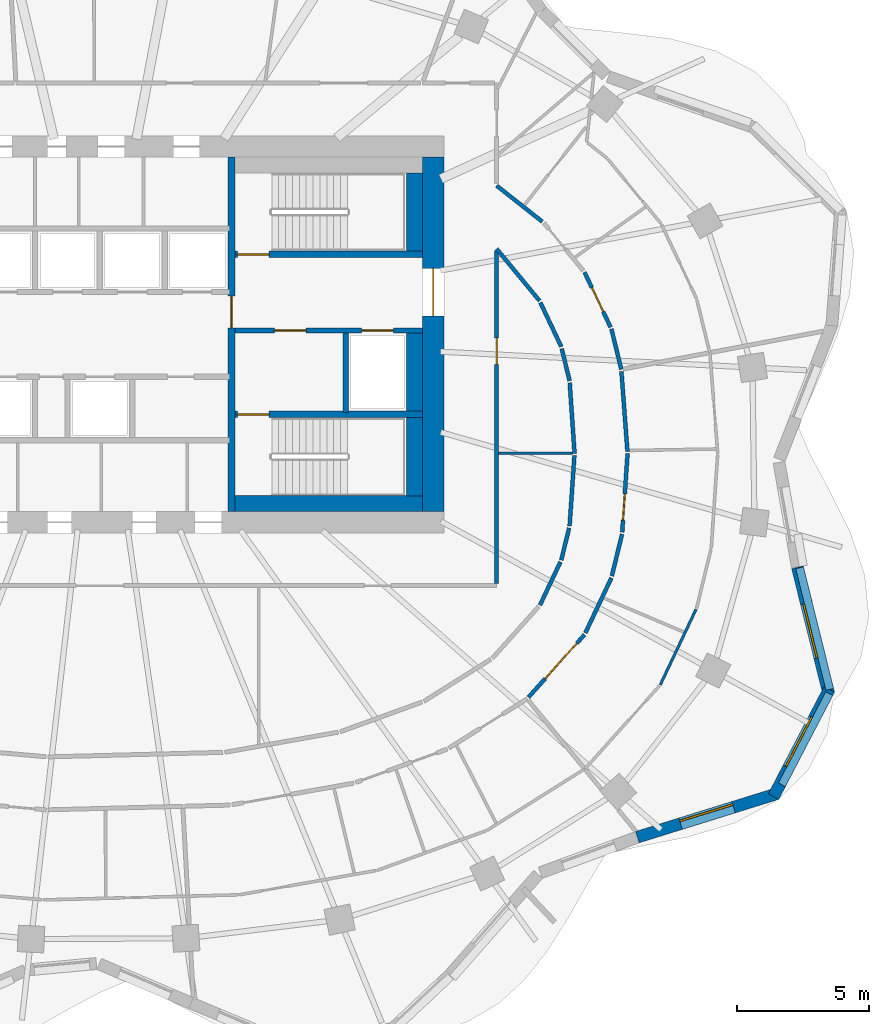
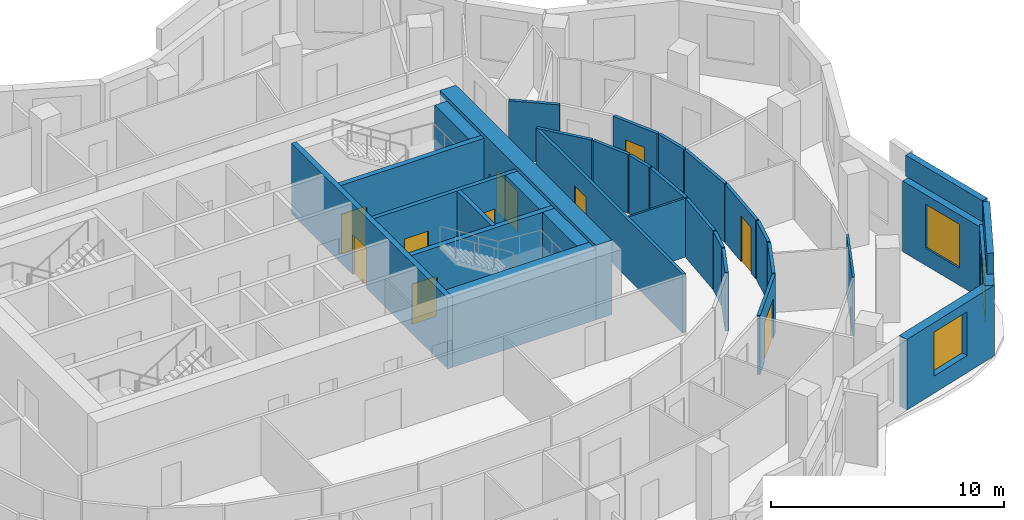
# One storey, part 7 of 11: 33 walls, 10 doors, 3 windows, 13 openings.
"""IFC4 building model written with IfcOpenShell, lengths in metres."""

from ifc_helpers import new_model, si_unit, direction, frame, frame_2d, origin, place, context, subcontext, project, spatial, rectangle, extrude, material, layer, layer_set, type_object, element, fill, save


model = new_model("IFC4")

# Units and contexts
model_context = context("Model", 3, precision=1e-05, world=origin(), true_north=direction((0.0, 1.0)))
body_context = subcontext(model_context, "Body", "Model", "MODEL_VIEW")
ifc_project = project(units=[si_unit("LENGTHUNIT", "METRE"), si_unit("AREAUNIT", "SQUARE_METRE"), si_unit("VOLUMEUNIT", "CUBIC_METRE"), si_unit("PLANEANGLEUNIT", "RADIAN"), si_unit("MASSUNIT", "GRAM", prefix="KILO")], contexts=[model_context])

# Site, building, storey
site_placement = place(None, origin())
site = spatial("IfcSite", under=ifc_project, at=site_placement, CompositionType="ELEMENT")
building_placement = place(site_placement, origin())
building = spatial("IfcBuilding", under=site, at=building_placement, Name="Rubra Terraces Tower", CompositionType="ELEMENT")
storey_placement = place(building_placement, frame((0.0, 0.0, 197.39990234375)))
storey = spatial("IfcBuildingStorey", under=building, at=storey_placement, Name="L48", CompositionType="ELEMENT", Elevation=197.39990234375)

# Wall, opening, window
ifc_material_1 = material(Name="Brick masonry red-brown", Category="masonry")
ifc_layer_1 = layer(ifc_material_1, 0.449951171875)
ifc_layer_set_1 = layer_set([ifc_layer_1], Name="Brick masonry red-brown")
wall_type_1 = type_object("IfcWallType", Name="Brick facade wall 450", PredefinedType="SOLIDWALL", material=ifc_layer_set_1)
wall_1_placement = place(storey_placement, frame((20.31591796875, -14.506591796875, 0.0), z_axis=(0.0, 0.0, 1.0), x_axis=(0.954807195185, 0.297225873743, 0.0)))
wall_1 = element("IfcWall", 1, at=wall_1_placement, inside=storey, type_object=wall_type_1, Name="Facade wall L48 bay 37", PredefinedType="SOLIDWALL", context=body_context, shape_type="SweptSolid", body=[
    extrude(rectangle(XDim=5.5263671875, YDim=0.449951171875, at=frame_2d((2.76318359375, 0.0))), origin(), (0.0, 0.0, 1.0), 3.7001953125),
])
opening_1_placement = place(wall_1_placement, frame((1.713134765625, 0.0, 0.89990234375)))
opening_1 = element("IfcOpeningElement", 2, at=opening_1_placement, cuts=wall_1, Name="Opening W1B", PredefinedType="OPENING", context=body_context, shape_type="SweptSolid", body=[
    extrude(rectangle(XDim=2.10009765625, YDim=2.300048828125, at=frame_2d((1.050048828125, 1.14990234375))), frame((0.0, 0.23486328125, 0.0), z_axis=(0.0, -1.0, 0.0), x_axis=(1.0, 0.0, 0.0)), (0.0, 0.0, 1.0), 0.469970703125),
])
ifc_material_2 = material(Name="Clear glass in aluminium frame", Category="aluminium")
window_type = type_object("IfcWindowType", Name="Fixed deep-set window tall storey 2100 x 2300", PartitioningType="SINGLE_PANEL", PredefinedType="WINDOW", material=ifc_material_2)
window_1_placement = place(opening_1_placement, origin())
window_1 = element("IfcWindow", 3, at=window_1_placement, inside=storey, type_object=window_type, Name="Window L48 bay 37", OverallHeight=2.300048828125, OverallWidth=2.10009765625, PartitioningType="SINGLE_PANEL", PredefinedType="WINDOW", context=body_context, shape_type="SweptSolid", body=[
    extrude(rectangle(XDim=2.10009765625, YDim=2.300048828125, at=frame_2d((1.050048828125, 1.14990234375))), frame((0.0, 0.135009765625, 0.0), z_axis=(0.0, -1.0, 0.0), x_axis=(1.0, 0.0, 0.0)), (0.0, 0.0, 1.0), 0.06005859375),
])
fill(opening_1, window_1)

wall_2_placement = place(storey_placement, frame((25.46533203125, -12.97314453125, 0.0), z_axis=(0.0, 0.0, 1.0), x_axis=(0.461288789222, 0.887250050965, 0.0)))
wall_2 = element("IfcWall", 4, at=wall_2_placement, inside=storey, type_object=wall_type_1, Name="Facade wall L48 bay 38", PredefinedType="SOLIDWALL", context=body_context, shape_type="SweptSolid", body=[
    extrude(rectangle(XDim=4.568115234375, YDim=0.449951171875, at=frame_2d((2.2841796875, 0.0))), origin(), (0.0, 0.0, 1.0), 3.7001953125),
])
opening_2_placement = place(wall_2_placement, frame((1.23388671875, 0.0, 0.89990234375)))
opening_2 = element("IfcOpeningElement", 5, at=opening_2_placement, cuts=wall_2, Name="Opening W1B", PredefinedType="OPENING", context=body_context, shape_type="SweptSolid", body=[
    extrude(rectangle(XDim=2.10009765625, YDim=2.300048828125, at=frame_2d((1.050048828125, 1.14990234375))), frame((0.0, 0.23486328125, 0.0), z_axis=(0.0, -1.0, 0.0), x_axis=(1.0, 0.0, 0.0)), (0.0, 0.0, 1.0), 0.469970703125),
])
window_2_placement = place(opening_2_placement, origin())
window_2 = element("IfcWindow", 6, at=window_2_placement, inside=storey, type_object=window_type, Name="Window L48 bay 38", OverallHeight=2.300048828125, OverallWidth=2.10009765625, PartitioningType="SINGLE_PANEL", PredefinedType="WINDOW", context=body_context, shape_type="SweptSolid", body=[
    extrude(rectangle(XDim=2.10009765625, YDim=2.300048828125, at=frame_2d((1.050048828125, 1.14990234375))), frame((0.0, 0.135009765625, 0.0), z_axis=(0.0, -1.0, 0.0), x_axis=(1.0, 0.0, 0.0)), (0.0, 0.0, 1.0), 0.06005859375),
])
fill(opening_2, window_2)

wall_3_placement = place(storey_placement, frame((27.552001953125, -9.07177734375, 0.0), z_axis=(0.0, 0.0, 1.0), x_axis=(-0.240629941406, 0.970616933347, 0.0)))
wall_3 = element("IfcWall", 7, at=wall_3_placement, inside=storey, type_object=wall_type_1, Name="Facade wall L48 bay 39", PredefinedType="SOLIDWALL", context=body_context, shape_type="SweptSolid", body=[
    extrude(rectangle(XDim=4.91455078125, YDim=0.449951171875, at=frame_2d((2.457275390625, 0.0))), origin(), (0.0, 0.0, 1.0), 3.7001953125),
])
opening_3_placement = place(wall_3_placement, frame((1.407470703125, 0.0, 0.89990234375)))
opening_3 = element("IfcOpeningElement", 8, at=opening_3_placement, cuts=wall_3, Name="Opening W1B", PredefinedType="OPENING", context=body_context, shape_type="SweptSolid", body=[
    extrude(rectangle(XDim=2.10009765625, YDim=2.300048828125, at=frame_2d((1.050048828125, 1.14990234375))), frame((0.0, 0.23486328125, 0.0), z_axis=(0.0, -1.0, 0.0), x_axis=(1.0, 0.0, 0.0)), (0.0, 0.0, 1.0), 0.469970703125),
])
window_3_placement = place(opening_3_placement, origin())
window_3 = element("IfcWindow", 9, at=window_3_placement, inside=storey, type_object=window_type, Name="Window L48 bay 39", OverallHeight=2.300048828125, OverallWidth=2.10009765625, PartitioningType="SINGLE_PANEL", PredefinedType="WINDOW", context=body_context, shape_type="SweptSolid", body=[
    extrude(rectangle(XDim=2.10009765625, YDim=2.300048828125, at=frame_2d((1.050048828125, 1.14990234375))), frame((0.0, 0.135009765625, 0.0), z_axis=(0.0, -1.0, 0.0), x_axis=(1.0, 0.0, 0.0)), (0.0, 0.0, 1.0), 0.06005859375),
])
fill(opening_3, window_3)

# Walls
ifc_layer_2 = layer(ifc_material_1, 0.300048828125)
ifc_layer_set_2 = layer_set([ifc_layer_2], Name="Brick masonry red-brown")
wall_type_2 = type_object("IfcWallType", Name="Brick parapet 300", PredefinedType="PARAPET", material=ifc_layer_set_2)
wall_4_placement = place(storey_placement, frame((25.781982421875, -12.52685546875, 3.900146484375), z_axis=(0.0, 0.0, 1.0), x_axis=(0.461218103562, 0.88728679746, 0.0)))
element("IfcWall", 10, at=wall_4_placement, inside=storey, type_object=wall_type_2, Name="Parapet L48 bay 38", PredefinedType="PARAPET", context=body_context, shape_type="SweptSolid", body=[
    extrude(rectangle(XDim=3.8828125, YDim=0.300048828125, at=frame_2d((1.94140625, 0.0))), origin(), (0.0, 0.0, 1.0), 1.099853515625),
])
wall_5_placement = place(storey_placement, frame((27.591796875, -8.9208984375, 3.900146484375), z_axis=(0.0, 0.0, 1.0), x_axis=(-0.240669381496, 0.970607154729, 0.0)))
element("IfcWall", 11, at=wall_5_placement, inside=storey, type_object=wall_type_2, Name="Parapet L48 bay 39", PredefinedType="PARAPET", context=body_context, shape_type="SweptSolid", body=[
    extrude(rectangle(XDim=4.741455078125, YDim=0.300048828125, at=frame_2d((2.37060546875, 0.0))), origin(), (0.0, 0.0, 1.0), 1.099853515625),
])

# Wall, opening, door
ifc_material_3 = material(Name="Concrete C50", Category="concrete")
ifc_layer_3 = layer(ifc_material_3, 0.800048828125)
ifc_layer_set_3 = layer_set([ifc_layer_3], Name="Concrete C50")
wall_type_3 = type_object("IfcWallType", Name="CORE WALL 800 C50", PredefinedType="SHEAR", material=ifc_layer_set_3)
wall_6_placement = place(storey_placement, frame((12.60009765625, -2.199951171875, 0.0), z_axis=(0.0, 0.0, 1.0), x_axis=(0.0, 1.0, 0.0)))
wall_6 = element("IfcWall", 12, at=wall_6_placement, inside=storey, type_object=wall_type_3, Name="CORE WALL E L48", PredefinedType="SHEAR", context=body_context, shape_type="SweptSolid", body=[
    extrude(rectangle(XDim=13.39990234375, YDim=0.800048828125, at=frame_2d((6.699951171875, 0.0))), origin(), (0.0, 0.0, 1.0), 3.900146484375),
])
opening_4_placement = place(wall_6_placement, frame((7.39990234375, 0.0, 0.0)))
opening_4 = element("IfcOpeningElement", 13, at=opening_4_placement, cuts=wall_6, Name="Opening L48.C02", PredefinedType="OPENING", context=body_context, shape_type="SweptSolid", body=[
    extrude(rectangle(XDim=1.800048828125, YDim=2.10009765625, at=frame_2d((0.89990234375, 1.050048828125))), frame((0.0, 0.409912109375, 0.0), z_axis=(0.0, -1.0, 0.0), x_axis=(1.0, 0.0, 0.0)), (0.0, 0.0, 1.0), 0.820068359375),
])
ifc_material_4 = material(Name="Painted steel", Category="steel")
door_type_1 = type_object("IfcDoorType", Name="Fire door 1800x2100 double", OperationType="NOTDEFINED", PredefinedType="DOOR", material=ifc_material_4)
door_1_placement = place(opening_4_placement, origin())
door_1 = element("IfcDoor", 14, at=door_1_placement, inside=storey, type_object=door_type_1, Name="Core entrance door FF2", OperationType="DOUBLE_DOOR_SINGLE_SWING", OverallHeight=2.10009765625, OverallWidth=1.800048828125, PredefinedType="DOOR", context=body_context, shape_type="SweptSolid", body=[
    extrude(rectangle(XDim=1.800048828125, YDim=2.10009765625, at=frame_2d((0.89990234375, 1.050048828125))), frame((0.0, 0.02490234375, 0.0), z_axis=(0.0, -1.0, 0.0), x_axis=(1.0, 0.0, 0.0)), (0.0, 0.0, 1.0), 0.050048828125),
])
fill(opening_4, door_1)

# Wall
ifc_material_5 = material(Name="Plasterboard on steel stud, mineral wool infill", Category="steel")
ifc_layer_4 = layer(ifc_material_5, 0.14990234375)
ifc_layer_set_4 = layer_set([ifc_layer_4], Name="Plasterboard on steel stud, mineral wool infill")
wall_type_4 = type_object("IfcWallType", Name="CORRIDOR PARTITION 150", PredefinedType="PARTITIONING", material=ifc_layer_set_4)
wall_7_placement = place(storey_placement, frame((19.710693359375, 3.174072265625, 0.0), z_axis=(0.0, 0.0, 1.0), x_axis=(-0.236809994688, 0.971555982132, 0.0)))
element("IfcWall", 15, at=wall_7_placement, inside=storey, type_object=wall_type_4, Name="PARTITION", PredefinedType="PARTITIONING", context=body_context, shape_type="SweptSolid", body=[
    extrude(rectangle(XDim=1.576416015625, YDim=0.14990234375, at=frame_2d((0.7880859375, 0.0))), origin(), (0.0, 0.0, 1.0), 3.083984375),
])

# Wall, opening, door
wall_8_placement = place(storey_placement, frame((19.305419921875, 4.7734375, 0.0), z_axis=(0.0, 0.0, 1.0), x_axis=(-0.428173054138, 0.903696760927, 0.0)))
wall_8 = element("IfcWall", 16, at=wall_8_placement, inside=storey, type_object=wall_type_4, Name="PARTITION", PredefinedType="PARTITIONING", context=body_context, shape_type="SweptSolid", body=[
    extrude(rectangle(XDim=2.299560546875, YDim=0.14990234375, at=frame_2d((1.14990234375, 0.0))), origin(), (0.0, 0.0, 1.0), 3.083984375),
])
opening_5_placement = place(wall_8_placement, frame((0.64990234375, 0.0, 0.0)))
opening_5 = element("IfcOpeningElement", 17, at=opening_5_placement, cuts=wall_8, Name="Opening 48-139", PredefinedType="OPENING", context=body_context, shape_type="SweptSolid", body=[
    extrude(rectangle(XDim=1.0, YDim=2.10009765625, at=frame_2d((0.5, 1.050048828125))), frame((0.0, 0.0849609375, 0.0), z_axis=(0.0, -1.0, 0.0), x_axis=(1.0, 0.0, 0.0)), (0.0, 0.0, 1.0), 0.169921875),
])
ifc_material_6 = material(Name="Painted timber door leaf", Category="wood")
door_type_2 = type_object("IfcDoorType", Name="ROOM DOOR 1000 X 2100", OperationType="SINGLE_SWING_LEFT", PredefinedType="DOOR", material=ifc_material_6)
door_2_placement = place(opening_5_placement, origin())
door_2 = element("IfcDoor", 18, at=door_2_placement, inside=storey, type_object=door_type_2, Name="DOOR 48-139", OperationType="SINGLE_SWING_RIGHT", OverallHeight=2.10009765625, OverallWidth=1.0, PredefinedType="DOOR", context=body_context, shape_type="SweptSolid", body=[
    extrude(rectangle(XDim=1.0, YDim=2.10009765625, at=frame_2d((0.5, 1.050048828125))), frame((0.0, 0.02490234375, 0.0), z_axis=(0.0, -1.0, 0.0), x_axis=(1.0, 0.0, 0.0)), (0.0, 0.0, 1.0), 0.050048828125),
])
fill(opening_5, door_2)

# Wall
wall_9_placement = place(storey_placement, frame((16.723876953125, 8.761474609375, 0.0), z_axis=(0.0, 0.0, 1.0), x_axis=(-0.785124633057, 0.619337800047, 0.0)))
element("IfcWall", 19, at=wall_9_placement, inside=storey, type_object=wall_type_4, Name="PARTITION", PredefinedType="PARTITIONING", context=body_context, shape_type="SweptSolid", body=[
    extrude(rectangle(XDim=2.195556640625, YDim=0.14990234375, at=frame_2d((1.09765625, 0.0))), origin(), (0.0, 0.0, 1.0), 3.083984375),
])

# Wall, opening, door
wall_10_placement = place(storey_placement, frame((16.201171875, -9.2197265625, 0.0), z_axis=(0.0, 0.0, 1.0), x_axis=(0.666925083627, 0.745124776685, 0.0)))
wall_10 = element("IfcWall", 20, at=wall_10_placement, inside=storey, type_object=wall_type_4, Name="PARTITION", PredefinedType="PARTITIONING", context=body_context, shape_type="SweptSolid", body=[
    extrude(rectangle(XDim=3.17822265625, YDim=0.14990234375, at=frame_2d((1.589111328125, 0.0))), origin(), (0.0, 0.0, 1.0), 3.083984375),
])
opening_6_placement = place(wall_10_placement, frame((0.949951171875, 0.0, 0.0)))
opening_6 = element("IfcOpeningElement", 21, at=opening_6_placement, cuts=wall_10, Name="Opening 48-129", PredefinedType="OPENING", context=body_context, shape_type="SweptSolid", body=[
    extrude(rectangle(XDim=1.800048828125, YDim=2.10009765625, at=frame_2d((0.89990234375, 1.050048828125))), frame((0.0, 0.0849609375, 0.0), z_axis=(0.0, -1.0, 0.0), x_axis=(1.0, 0.0, 0.0)), (0.0, 0.0, 1.0), 0.169921875),
])
ifc_material_7 = material(Name="Painted timber door leaf, double", Category="wood")
door_type_3 = type_object("IfcDoorType", Name="ROOM DOUBLE DOOR 1800 X 2100", OperationType="DOUBLE_DOOR_SINGLE_SWING", PredefinedType="DOOR", material=ifc_material_7)
door_3_placement = place(opening_6_placement, origin())
door_3 = element("IfcDoor", 22, at=door_3_placement, inside=storey, type_object=door_type_3, Name="DOOR 48-129", OperationType="DOUBLE_DOOR_SINGLE_SWING", OverallHeight=2.10009765625, OverallWidth=1.800048828125, PredefinedType="DOOR", context=body_context, shape_type="SweptSolid", body=[
    extrude(rectangle(XDim=1.800048828125, YDim=2.10009765625, at=frame_2d((0.89990234375, 1.050048828125))), frame((0.0, 0.02490234375, 0.0), z_axis=(0.0, -1.0, 0.0), x_axis=(1.0, 0.0, 0.0)), (0.0, 0.0, 1.0), 0.050048828125),
])
fill(opening_6, door_3)

# Walls
wall_11_placement = place(storey_placement, frame((18.35302734375, -6.78369140625, 0.0), z_axis=(0.0, 0.0, 1.0), x_axis=(0.428086344739, 0.903737838894, 0.0)))
element("IfcWall", 23, at=wall_11_placement, inside=storey, type_object=wall_type_4, Name="PARTITION", PredefinedType="PARTITIONING", context=body_context, shape_type="SweptSolid", body=[
    extrude(rectangle(XDim=2.299560546875, YDim=0.14990234375, at=frame_2d((1.14990234375, 0.0))), origin(), (0.0, 0.0, 1.0), 3.083984375),
])
wall_12_placement = place(storey_placement, frame((19.355224609375, -4.6328125, 0.0), z_axis=(0.0, 0.0, 1.0), x_axis=(0.236703930685, 0.971581828359, 0.0)))
element("IfcWall", 24, at=wall_12_placement, inside=storey, type_object=wall_type_4, Name="PARTITION", PredefinedType="PARTITIONING", context=body_context, shape_type="SweptSolid", body=[
    extrude(rectangle(XDim=1.62646484375, YDim=0.14990234375, at=frame_2d((0.813232421875, 0.0))), origin(), (0.0, 0.0, 1.0), 3.083984375),
])

# Wall, opening, door
wall_13_placement = place(storey_placement, frame((19.745361328125, -2.9775390625, 0.0), z_axis=(0.0, 0.0, 1.0), x_axis=(0.068142324, 0.997675610447, 0.0)))
wall_13 = element("IfcWall", 25, at=wall_13_placement, inside=storey, type_object=wall_type_4, Name="PARTITION", PredefinedType="PARTITIONING", context=body_context, shape_type="SweptSolid", body=[
    extrude(rectangle(XDim=2.984375, YDim=0.14990234375, at=frame_2d((1.4921875, 0.0))), origin(), (0.0, 0.0, 1.0), 3.083984375),
])
opening_7_placement = place(wall_13_placement, frame((0.449951171875, 0.0, 0.0)))
opening_7 = element("IfcOpeningElement", 26, at=opening_7_placement, cuts=wall_13, Name="Opening 48-131", PredefinedType="OPENING", context=body_context, shape_type="SweptSolid", body=[
    extrude(rectangle(XDim=1.0, YDim=2.39990234375, at=frame_2d((0.5, 1.199951171875))), frame((0.0, 0.0849609375, 0.0), z_axis=(0.0, -1.0, 0.0), x_axis=(1.0, 0.0, 0.0)), (0.0, 0.0, 1.0), 0.169921875),
])
ifc_material_8 = material(Name="Glazed aluminium meeting door leaf", Category="aluminium")
door_type_4 = type_object("IfcDoorType", Name="MEETING ROOM GLAZED DOOR 1000 X 2400", OperationType="SINGLE_SWING_LEFT", PredefinedType="DOOR", material=ifc_material_8)
door_4_placement = place(opening_7_placement, origin())
door_4 = element("IfcDoor", 27, at=door_4_placement, inside=storey, type_object=door_type_4, Name="DOOR 48-131", OperationType="SINGLE_SWING_RIGHT", OverallHeight=2.39990234375, OverallWidth=1.0, PredefinedType="DOOR", context=body_context, shape_type="SweptSolid", body=[
    extrude(rectangle(XDim=1.0, YDim=2.39990234375, at=frame_2d((0.5, 1.199951171875))), frame((0.0, 0.02490234375, 0.0), z_axis=(0.0, -1.0, 0.0), x_axis=(1.0, 0.0, 0.0)), (0.0, 0.0, 1.0), 0.050048828125),
])
fill(opening_7, door_4)

# Walls
wall_14_placement = place(storey_placement, frame((19.943115234375, 0.07470703125, 0.0), z_axis=(0.0, 0.0, 1.0), x_axis=(-0.074781943541, 0.997199910209, 0.0)))
element("IfcWall", 28, at=wall_14_placement, inside=storey, type_object=wall_type_4, Name="PARTITION", PredefinedType="PARTITIONING", context=body_context, shape_type="SweptSolid", body=[
    extrude(rectangle(XDim=3.032958984375, YDim=0.14990234375, at=frame_2d((1.5166015625, 0.0))), origin(), (0.0, 0.0, 1.0), 3.083984375),
])
wall_15_placement = place(storey_placement, frame((15.0, 7.73291015625, 0.0), z_axis=(0.0, 0.0, 1.0), x_axis=(0.636601263488, -0.771193121938, 0.0)))
element("IfcWall", 29, at=wall_15_placement, inside=storey, type_object=wall_type_4, Name="PARTITION", PredefinedType="PARTITIONING", context=body_context, shape_type="SweptSolid", body=[
    extrude(rectangle(XDim=2.544921875, YDim=0.14990234375, at=frame_2d((1.2724609375, 0.0))), origin(), (0.0, 0.0, 1.0), 3.083984375),
])
wall_16_placement = place(storey_placement, frame((16.652099609375, 5.702392578125, 0.0), z_axis=(0.0, 0.0, 1.0), x_axis=(0.428126129773, -0.903718992279, 0.0)))
element("IfcWall", 30, at=wall_16_placement, inside=storey, type_object=wall_type_4, Name="PARTITION", PredefinedType="PARTITIONING", context=body_context, shape_type="SweptSolid", body=[
    extrude(rectangle(XDim=1.846435546875, YDim=0.14990234375, at=frame_2d((0.92333984375, 0.0))), origin(), (0.0, 0.0, 1.0), 3.083984375),
])
wall_17_placement = place(storey_placement, frame((17.46044921875, 3.9609375, 0.0), z_axis=(0.0, 0.0, 1.0), x_axis=(0.236655249498, -0.971593687137, 0.0)))
element("IfcWall", 31, at=wall_17_placement, inside=storey, type_object=wall_type_4, Name="PARTITION", PredefinedType="PARTITIONING", context=body_context, shape_type="SweptSolid", body=[
    extrude(rectangle(XDim=1.25146484375, YDim=0.14990234375, at=frame_2d((0.625732421875, 0.0))), origin(), (0.0, 0.0, 1.0), 3.083984375),
])
wall_18_placement = place(storey_placement, frame((17.76171875, 2.67041015625, 0.0), z_axis=(0.0, 0.0, 1.0), x_axis=(0.068135311644, -0.997676089373, 0.0)))
element("IfcWall", 32, at=wall_18_placement, inside=storey, type_object=wall_type_4, Name="PARTITION", PredefinedType="PARTITIONING", context=body_context, shape_type="SweptSolid", body=[
    extrude(rectangle(XDim=2.676513671875, YDim=0.14990234375, at=frame_2d((1.33837890625, 0.0))), origin(), (0.0, 0.0, 1.0), 3.083984375),
])
wall_19_placement = place(storey_placement, frame((17.939208984375, -0.07470703125, 0.0), z_axis=(0.0, 0.0, 1.0), x_axis=(-0.068226099283, -0.99766988497, 0.0)))
element("IfcWall", 33, at=wall_19_placement, inside=storey, type_object=wall_type_4, Name="PARTITION", PredefinedType="PARTITIONING", context=body_context, shape_type="SweptSolid", body=[
    extrude(rectangle(XDim=2.6767578125, YDim=0.14990234375, at=frame_2d((1.33837890625, 0.0))), origin(), (0.0, 0.0, 1.0), 3.083984375),
])
wall_20_placement = place(storey_placement, frame((17.739013671875, -2.818115234375, 0.0), z_axis=(0.0, 0.0, 1.0), x_axis=(-0.236884307907, -0.971537865792, 0.0)))
element("IfcWall", 34, at=wall_20_placement, inside=storey, type_object=wall_type_4, Name="PARTITION", PredefinedType="PARTITIONING", context=body_context, shape_type="SweptSolid", body=[
    extrude(rectangle(XDim=1.251220703125, YDim=0.14990234375, at=frame_2d((0.62548828125, 0.0))), origin(), (0.0, 0.0, 1.0), 3.083984375),
])
wall_21_placement = place(storey_placement, frame((17.410400390625, -4.1015625, 0.0), z_axis=(0.0, 0.0, 1.0), x_axis=(-0.428074720318, -0.903743345107, 0.0)))
element("IfcWall", 35, at=wall_21_placement, inside=storey, type_object=wall_type_4, Name="PARTITION", PredefinedType="PARTITIONING", context=body_context, shape_type="SweptSolid", body=[
    extrude(rectangle(XDim=1.8056640625, YDim=0.14990234375, at=frame_2d((0.90283203125, 0.0))), origin(), (0.0, 0.0, 1.0), 3.083984375),
])

# Wall, opening, door
wall_22_placement = place(storey_placement, frame((15.0, -4.925048828125, 0.0), z_axis=(0.0, 0.0, 1.0), x_axis=(0.0, 1.0, 0.0)))
wall_22 = element("IfcWall", 36, at=wall_22_placement, inside=storey, type_object=wall_type_4, Name="PARTITION", PredefinedType="PARTITIONING", context=body_context, shape_type="SweptSolid", body=[
    extrude(rectangle(XDim=12.5830078125, YDim=0.14990234375, at=frame_2d((6.29150390625, 0.0))), origin(), (0.0, 0.0, 1.0), 3.083984375),
])
opening_8_placement = place(wall_22_placement, frame((8.291015625, 0.0, 0.0)))
opening_8 = element("IfcOpeningElement", 37, at=opening_8_placement, cuts=wall_22, Name="Opening 48-137", PredefinedType="OPENING", context=body_context, shape_type="SweptSolid", body=[
    extrude(rectangle(XDim=1.0, YDim=2.10009765625, at=frame_2d((0.5, 1.050048828125))), frame((0.0, 0.0849609375, 0.0), z_axis=(0.0, -1.0, 0.0), x_axis=(1.0, 0.0, 0.0)), (0.0, 0.0, 1.0), 0.169921875),
])
door_5_placement = place(opening_8_placement, origin())
door_5 = element("IfcDoor", 38, at=door_5_placement, inside=storey, type_object=door_type_2, Name="DOOR 48-137", OperationType="SINGLE_SWING_RIGHT", OverallHeight=2.10009765625, OverallWidth=1.0, PredefinedType="DOOR", context=body_context, shape_type="SweptSolid", body=[
    extrude(rectangle(XDim=1.0, YDim=2.10009765625, at=frame_2d((0.5, 1.050048828125))), frame((0.0, 0.02490234375, 0.0), z_axis=(0.0, -1.0, 0.0), x_axis=(1.0, 0.0, 0.0)), (0.0, 0.0, 1.0), 0.050048828125),
])
fill(opening_8, door_5)

# Walls
ifc_material_9 = material(Name="Concrete C40", Category="concrete")
ifc_layer_5 = layer(ifc_material_9, 0.60009765625)
ifc_layer_set_5 = layer_set([ifc_layer_5], Name="Concrete C40")
wall_type_5 = type_object("IfcWallType", Name="Core lining wall 600 concrete", PredefinedType="SOLIDWALL", material=ifc_layer_set_5)
wall_23_placement = place(storey_placement, frame((11.89990234375, 10.60009765625, 0.0), z_axis=(0.0, 0.0, 1.0), x_axis=(0.0, -1.0, 0.0)))
element("IfcWall", 39, at=wall_23_placement, inside=storey, type_object=wall_type_5, Name="CORE LINING WALL L48", PredefinedType="SOLIDWALL", context=body_context, shape_type="SweptSolid", body=[
    extrude(rectangle(XDim=2.9501953125, YDim=0.60009765625, at=frame_2d((1.47509765625, 0.0))), origin(), (0.0, 0.0, 1.0), 3.7001953125),
])
wall_24_placement = place(storey_placement, frame((11.89990234375, 4.550048828125, 0.0), z_axis=(0.0, 0.0, 1.0), x_axis=(0.0, -1.0, 0.0)))
element("IfcWall", 40, at=wall_24_placement, inside=storey, type_object=wall_type_5, Name="CORE LINING WALL L48", PredefinedType="SOLIDWALL", context=body_context, shape_type="SweptSolid", body=[
    extrude(rectangle(XDim=3.0, YDim=0.60009765625, at=frame_2d((1.5, 0.0))), origin(), (0.0, 0.0, 1.0), 3.7001953125),
])
wall_25_placement = place(storey_placement, frame((11.89990234375, 1.35009765625, 0.0), z_axis=(0.0, 0.0, 1.0), x_axis=(0.0, -1.0, 0.0)))
element("IfcWall", 41, at=wall_25_placement, inside=storey, type_object=wall_type_5, Name="CORE LINING WALL L48", PredefinedType="SOLIDWALL", context=body_context, shape_type="SweptSolid", body=[
    extrude(rectangle(XDim=2.9501953125, YDim=0.60009765625, at=frame_2d((1.47509765625, 0.0))), origin(), (0.0, 0.0, 1.0), 3.7001953125),
])
wall_26_placement = place(storey_placement, frame((12.199951171875, -1.89990234375, 0.0), z_axis=(0.0, 0.0, 1.0), x_axis=(-1.0, 0.0, 0.0)))
element("IfcWall", 42, at=wall_26_placement, inside=storey, type_object=wall_type_5, Name="CORE LINING WALL L48", PredefinedType="SOLIDWALL", context=body_context, shape_type="SweptSolid", body=[
    extrude(rectangle(XDim=7.099853515625, YDim=0.60009765625, at=frame_2d((3.5498046875, 0.0))), origin(), (0.0, 0.0, 1.0), 3.7001953125),
])

# Wall, openings, doors
ifc_material_10 = material(Name="Concrete C30", Category="concrete")
ifc_layer_6 = layer(ifc_material_10, 0.199951171875)
ifc_layer_set_6 = layer_set([ifc_layer_6], Name="Concrete C30")
wall_type_6 = type_object("IfcWallType", Name="Core wall 200 concrete", PredefinedType="SOLIDWALL", material=ifc_layer_set_6)
wall_27_placement = place(storey_placement, frame((12.199951171875, 4.64990234375, 0.0), z_axis=(0.0, 0.0, 1.0), x_axis=(-1.0, 0.0, 0.0)))
wall_27 = element("IfcWall", 43, at=wall_27_placement, inside=storey, type_object=wall_type_6, Name="STAIR WALL L48", PredefinedType="SOLIDWALL", context=body_context, shape_type="SweptSolid", body=[
    extrude(rectangle(XDim=7.099853515625, YDim=0.199951171875, at=frame_2d((3.5498046875, 0.0))), origin(), (0.0, 0.0, 1.0), 3.7001953125),
])
opening_9_placement = place(wall_27_placement, frame((4.39990234375, 0.0, 0.0)))
opening_9 = element("IfcOpeningElement", 44, at=opening_9_placement, cuts=wall_27, Name="Opening L48.C06", PredefinedType="OPENING", context=body_context, shape_type="SweptSolid", body=[
    extrude(rectangle(XDim=1.199951171875, YDim=2.10009765625, at=frame_2d((0.60009765625, 1.050048828125))), frame((0.0, 0.10986328125, 0.0), z_axis=(0.0, -1.0, 0.0), x_axis=(1.0, 0.0, 0.0)), (0.0, 0.0, 1.0), 0.219970703125),
])
opening_10_placement = place(wall_27_placement, frame((1.10009765625, 0.0, 0.0)))
opening_10 = element("IfcOpeningElement", 45, at=opening_10_placement, cuts=wall_27, Name="Opening L48.C12", PredefinedType="OPENING", context=body_context, shape_type="SweptSolid", body=[
    extrude(rectangle(XDim=1.199951171875, YDim=2.10009765625, at=frame_2d((0.60009765625, 1.050048828125))), frame((0.0, 0.10986328125, 0.0), z_axis=(0.0, -1.0, 0.0), x_axis=(1.0, 0.0, 0.0)), (0.0, 0.0, 1.0), 0.219970703125),
])
door_type_5 = type_object("IfcDoorType", Name="Fire door 1200x2100 single", OperationType="NOTDEFINED", PredefinedType="DOOR", material=ifc_material_4)
door_6_placement = place(opening_9_placement, origin())
door_6 = element("IfcDoor", 46, at=door_6_placement, inside=storey, type_object=door_type_5, Name="Stair vestibule door S4", OperationType="SINGLE_SWING_RIGHT", OverallHeight=2.10009765625, OverallWidth=1.199951171875, PredefinedType="DOOR", context=body_context, shape_type="SweptSolid", body=[
    extrude(rectangle(XDim=1.199951171875, YDim=2.10009765625, at=frame_2d((0.60009765625, 1.050048828125))), frame((0.0, 0.02490234375, 0.0), z_axis=(0.0, -1.0, 0.0), x_axis=(1.0, 0.0, 0.0)), (0.0, 0.0, 1.0), 0.050048828125),
])
fill(opening_9, door_6)
ifc_material_11 = material(Name="Stainless steel", Category="steel")
door_type_6 = type_object("IfcDoorType", Name="Lift landing door 1200x2100", OperationType="NOTDEFINED", PredefinedType="DOOR", material=ifc_material_11)
door_7_placement = place(opening_10_placement, origin())
door_7 = element("IfcDoor", 47, at=door_7_placement, inside=storey, type_object=door_type_6, Name="Landing door FF2", OperationType="SLIDING_TO_RIGHT", OverallHeight=2.10009765625, OverallWidth=1.199951171875, PredefinedType="DOOR", context=body_context, shape_type="SweptSolid", body=[
    extrude(rectangle(XDim=1.199951171875, YDim=2.10009765625, at=frame_2d((0.60009765625, 1.050048828125))), frame((0.0, 0.02490234375, 0.0), z_axis=(0.0, -1.0, 0.0), x_axis=(1.0, 0.0, 0.0)), (0.0, 0.0, 1.0), 0.050048828125),
])
fill(opening_10, door_7)

# Walls
wall_28_placement = place(storey_placement, frame((9.300048828125, 4.550048828125, 0.0), z_axis=(0.0, 0.0, 1.0), x_axis=(0.0, -1.0, 0.0)))
element("IfcWall", 48, at=wall_28_placement, inside=storey, type_object=wall_type_6, Name="STAIR WALL L48", PredefinedType="SOLIDWALL", context=body_context, shape_type="SweptSolid", body=[
    extrude(rectangle(XDim=3.0, YDim=0.199951171875, at=frame_2d((1.5, 0.0))), origin(), (0.0, 0.0, 1.0), 3.7001953125),
])
ifc_material_12 = material(Name="Plasterboard on steel stud", Category="steel")
ifc_layer_7 = layer(ifc_material_12, 0.10009765625)
ifc_layer_set_7 = layer_set([ifc_layer_7], Name="Plasterboard on steel stud")
wall_type_7 = type_object("IfcWallType", Name="ROOM PARTITION 100", PredefinedType="PARTITIONING", material=ifc_layer_set_7)
wall_29_placement = place(storey_placement, frame((22.537109375, -5.892822265625, 0.0), z_axis=(0.0, 0.0, 1.0), x_axis=(-0.428099612517, -0.903731554037, 0.0)))
element("IfcWall", 49, at=wall_29_placement, inside=storey, type_object=wall_type_7, Name="PARTITION", PredefinedType="PARTITIONING", context=body_context, shape_type="SweptSolid", body=[
    extrude(rectangle(XDim=3.1640625, YDim=0.10009765625, at=frame_2d((1.58203125, 0.0))), origin(), (0.0, 0.0, 1.0), 3.083984375),
])
wall_30_placement = place(storey_placement, frame((15.074951171875, 0.0, 0.0), z_axis=(0.0, 0.0, 1.0), x_axis=(1.0, 0.0, 0.0)))
element("IfcWall", 50, at=wall_30_placement, inside=storey, type_object=wall_type_7, Name="PARTITION", PredefinedType="PARTITIONING", context=body_context, shape_type="SweptSolid", body=[
    extrude(rectangle(XDim=2.794189453125, YDim=0.10009765625, at=frame_2d((1.39697265625, 0.0))), origin(), (0.0, 0.0, 1.0), 3.083984375),
])

# Wall, opening, door
ifc_layer_8 = layer(ifc_material_9, 0.25)
ifc_layer_set_8 = layer_set([ifc_layer_8], Name="Concrete C40")
wall_type_8 = type_object("IfcWallType", Name="Stair enclosure wall 250 concrete", PredefinedType="SOLIDWALL", material=ifc_layer_set_8)
wall_31_placement = place(storey_placement, frame((12.199951171875, 7.52490234375, 0.0), z_axis=(0.0, 0.0, 1.0), x_axis=(-1.0, 0.0, 0.0)))
wall_31 = element("IfcWall", 51, at=wall_31_placement, inside=storey, type_object=wall_type_8, Name="STAIR WALL L48", PredefinedType="SOLIDWALL", context=body_context, shape_type="SweptSolid", body=[
    extrude(rectangle(XDim=7.099853515625, YDim=0.25, at=frame_2d((3.5498046875, 0.0))), origin(), (0.0, 0.0, 1.0), 3.7001953125),
])
opening_11_placement = place(wall_31_placement, frame((5.800048828125, 0.0, 0.0)))
opening_11 = element("IfcOpeningElement", 52, at=opening_11_placement, cuts=wall_31, Name="Opening L48.C08", PredefinedType="OPENING", context=body_context, shape_type="SweptSolid", body=[
    extrude(rectangle(XDim=1.199951171875, YDim=2.10009765625, at=frame_2d((0.60009765625, 1.050048828125))), frame((0.0, 0.135009765625, 0.0), z_axis=(0.0, -1.0, 0.0), x_axis=(1.0, 0.0, 0.0)), (0.0, 0.0, 1.0), 0.27001953125),
])
door_8_placement = place(opening_11_placement, origin())
door_8 = element("IfcDoor", 53, at=door_8_placement, inside=storey, type_object=door_type_5, Name="Stair door S3", OperationType="SINGLE_SWING_RIGHT", OverallHeight=2.10009765625, OverallWidth=1.199951171875, PredefinedType="DOOR", context=body_context, shape_type="SweptSolid", body=[
    extrude(rectangle(XDim=1.199951171875, YDim=2.10009765625, at=frame_2d((0.60009765625, 1.050048828125))), frame((0.0, 0.02490234375, 0.0), z_axis=(0.0, -1.0, 0.0), x_axis=(1.0, 0.0, 0.0)), (0.0, 0.0, 1.0), 0.050048828125),
])
fill(opening_11, door_8)

wall_32_placement = place(storey_placement, frame((12.199951171875, 1.47509765625, 0.0), z_axis=(0.0, 0.0, 1.0), x_axis=(-1.0, 0.0, 0.0)))
wall_32 = element("IfcWall", 54, at=wall_32_placement, inside=storey, type_object=wall_type_8, Name="STAIR WALL L48", PredefinedType="SOLIDWALL", context=body_context, shape_type="SweptSolid", body=[
    extrude(rectangle(XDim=7.099853515625, YDim=0.25, at=frame_2d((3.5498046875, 0.0))), origin(), (0.0, 0.0, 1.0), 3.7001953125),
])
opening_12_placement = place(wall_32_placement, frame((5.800048828125, 0.0, 0.0)))
opening_12 = element("IfcOpeningElement", 55, at=opening_12_placement, cuts=wall_32, Name="Opening L48.C10", PredefinedType="OPENING", context=body_context, shape_type="SweptSolid", body=[
    extrude(rectangle(XDim=1.199951171875, YDim=2.10009765625, at=frame_2d((0.60009765625, 1.050048828125))), frame((0.0, 0.135009765625, 0.0), z_axis=(0.0, -1.0, 0.0), x_axis=(1.0, 0.0, 0.0)), (0.0, 0.0, 1.0), 0.27001953125),
])
door_9_placement = place(opening_12_placement, origin())
door_9 = element("IfcDoor", 56, at=door_9_placement, inside=storey, type_object=door_type_5, Name="Stair door S4", OperationType="SINGLE_SWING_RIGHT", OverallHeight=2.10009765625, OverallWidth=1.199951171875, PredefinedType="DOOR", context=body_context, shape_type="SweptSolid", body=[
    extrude(rectangle(XDim=1.199951171875, YDim=2.10009765625, at=frame_2d((0.60009765625, 1.050048828125))), frame((0.0, 0.02490234375, 0.0), z_axis=(0.0, -1.0, 0.0), x_axis=(1.0, 0.0, 0.0)), (0.0, 0.0, 1.0), 0.050048828125),
])
fill(opening_12, door_9)

wall_33_placement = place(storey_placement, frame((4.97509765625, 11.199951171875, 0.0), z_axis=(0.0, 0.0, 1.0), x_axis=(0.0, -1.0, 0.0)))
wall_33 = element("IfcWall", 57, at=wall_33_placement, inside=storey, type_object=wall_type_8, Name="CORE LOBBY WALL L48", PredefinedType="SOLIDWALL", context=body_context, shape_type="SweptSolid", body=[
    extrude(rectangle(XDim=13.39990234375, YDim=0.25, at=frame_2d((6.699951171875, 0.0))), origin(), (0.0, 0.0, 1.0), 3.7001953125),
])
opening_13_placement = place(wall_33_placement, frame((5.25, 0.0, 0.0)))
opening_13 = element("IfcOpeningElement", 58, at=opening_13_placement, cuts=wall_33, Name="Opening L48.C04", PredefinedType="OPENING", context=body_context, shape_type="SweptSolid", body=[
    extrude(rectangle(XDim=1.199951171875, YDim=2.10009765625, at=frame_2d((0.60009765625, 1.050048828125))), frame((0.0, 0.135009765625, 0.0), z_axis=(0.0, -1.0, 0.0), x_axis=(1.0, 0.0, 0.0)), (0.0, 0.0, 1.0), 0.27001953125),
])
door_10_placement = place(opening_13_placement, origin())
door_10 = element("IfcDoor", 59, at=door_10_placement, inside=storey, type_object=door_type_5, Name="Firefighting lobby door FF2", OperationType="SINGLE_SWING_RIGHT", OverallHeight=2.10009765625, OverallWidth=1.199951171875, PredefinedType="DOOR", context=body_context, shape_type="SweptSolid", body=[
    extrude(rectangle(XDim=1.199951171875, YDim=2.10009765625, at=frame_2d((0.60009765625, 1.050048828125))), frame((0.0, 0.02490234375, 0.0), z_axis=(0.0, -1.0, 0.0), x_axis=(1.0, 0.0, 0.0)), (0.0, 0.0, 1.0), 0.050048828125),
])
fill(opening_13, door_10)

save(model, "model.ifc")
